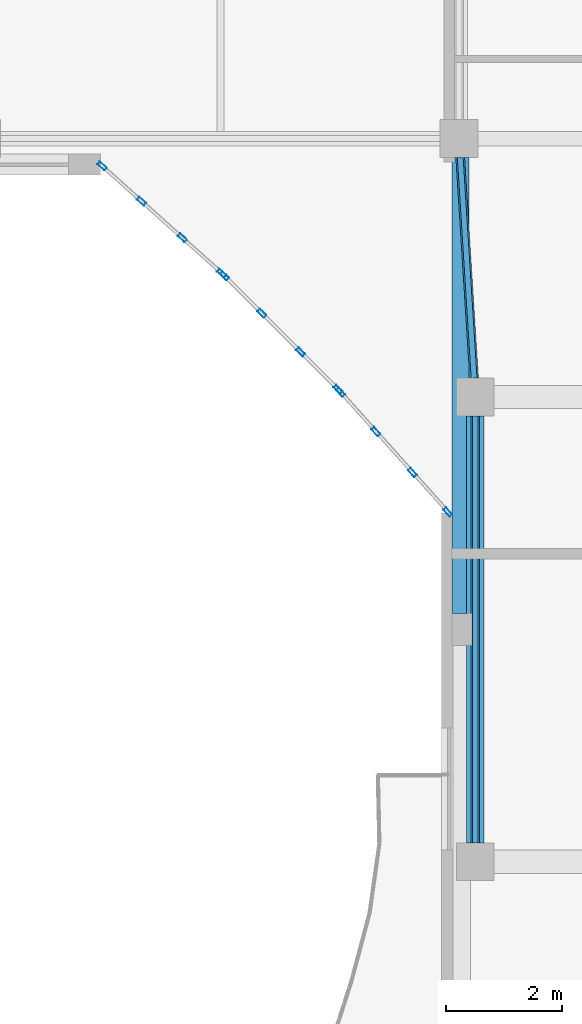
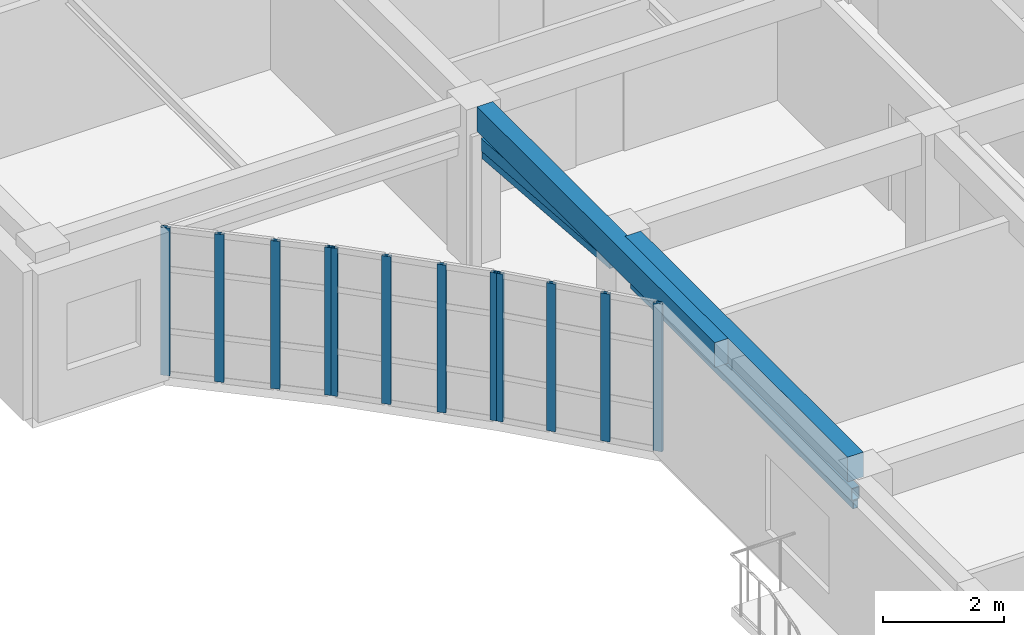
# One storey, part 45 of 128: 16 members, 2 beams, 3 elements without a shape of their own.
"""IFC4 building model written with IfcOpenShell, lengths in metres."""

from ifc_helpers import new_model, si_unit, direction, frame, origin, origin_2d, place, context, subcontext, project, spatial, rectangle, hollow_rectangle, extrude, material, layer, layer_set, material_profile, profile_set, type_object, element, aggregate, save


model = new_model("IFC4")

# Units and contexts
model_context = context("Model", 3, precision=1e-05, world=origin(), true_north=direction((0.0, 1.0)))
body_context = subcontext(model_context, "Body", "Model", "MODEL_VIEW")
ifc_project = project(units=[si_unit("LENGTHUNIT", "METRE"), si_unit("AREAUNIT", "SQUARE_METRE"), si_unit("VOLUMEUNIT", "CUBIC_METRE"), si_unit("PLANEANGLEUNIT", "RADIAN"), si_unit("MASSUNIT", "GRAM", prefix="KILO")], contexts=[model_context])

# Site, building, storey
site_placement = place(None, origin())
site = spatial("IfcSite", under=ifc_project, at=site_placement, CompositionType="ELEMENT")
building_placement = place(site_placement, origin())
building = spatial("IfcBuilding", under=site, at=building_placement, Name="Keldmere Railside Commons", CompositionType="ELEMENT")
storey_placement = place(building_placement, frame((0.0, 0.0, 4.159912109375)))
storey = spatial("IfcBuildingStorey", under=building, at=storey_placement, Name="L01", CompositionType="ELEMENT", Elevation=4.159912109375)

# Members
ifc_material_1 = material(Name="Steel F-36 (S355)", Category="steel")
ifc_material_profile_1 = material_profile(ifc_material_1, hollow_rectangle(XDim=0.14990234375, YDim=0.25, WallThickness=0.010009765625, at=origin_2d()), Name="RHS-250x150x10")
ifc_profile_set_1 = profile_set([ifc_material_profile_1], Name="Steel F-36 (S355)")
member_type_1 = type_object("IfcMemberType", Name="Balcony Continuous Planted Trough RHS250x150", PredefinedType="CHORD", material=ifc_profile_set_1)
member_1_placement = place(storey_placement, frame((48.449951171875, 88.324951171875, 2.4150390625), z_axis=(0.0, 1.0, 0.0), x_axis=(-1.0, 0.0, 0.0)))
element("IfcMember", 1, at=member_1_placement, inside=storey, type_object=member_type_1, Name="PLT-1 MEM-BPLT-0135", PredefinedType="CHORD", context=body_context, shape_type="SweptSolid", body=[
    extrude(hollow_rectangle(XDim=0.14990234375, YDim=0.25, WallThickness=0.010009765625, at=origin_2d()), origin(), (0.0, 0.0, 1.0), 7.35009765625),
])
member_2_placement = place(storey_placement, frame((48.4296875, 96.324462890625, 2.4150390625), z_axis=(-0.062821266469, 0.998024793519, 0.0), x_axis=(-0.998024793519, -0.062821266469, 0.0)))
element("IfcMember", 2, at=member_2_placement, inside=storey, type_object=member_type_1, Name="PLT-1 MEM-BPLT-0137", PredefinedType="CHORD", context=body_context, shape_type="SweptSolid", body=[
    extrude(hollow_rectangle(XDim=0.14990234375, YDim=0.25, WallThickness=0.010009765625, at=origin_2d()), origin(), (0.0, 0.0, 1.0), 3.80859375),
])

# Beams
ifc_material_2 = material(Name="Concrete H-30 (C30/37)", Category="concrete")
ifc_material_profile_2 = material_profile(ifc_material_2, rectangle(XDim=0.300048828125, YDim=0.5, at=origin_2d()), Name="RC-300x500")
ifc_profile_set_2 = profile_set([ifc_material_profile_2], Name="Concrete H-30 (C30/37)")
beam_type = type_object("IfcBeamType", Name="Secondary Frame RC Beam 300x500", PredefinedType="BEAM", material=ifc_profile_set_2)
beam_1_placement = place(storey_placement, frame((48.195068359375, 92.27490234375, 2.9501953125), z_axis=(0.0, 1.0, 0.0), x_axis=(-1.0, 0.0, 0.0)))
element("IfcBeam", 3, at=beam_1_placement, inside=storey, type_object=beam_type, Name="BG-5 BM-L01-0890", PredefinedType="BEAM", context=body_context, shape_type="SweptSolid", body=[
    extrude(rectangle(XDim=0.300048828125, YDim=0.5, at=origin_2d()), origin(), (0.0, 0.0, 1.0), 7.85009765625),
])
beam_2_placement = place(storey_placement, frame((48.449951171875, 88.324951171875, 2.9501953125), z_axis=(0.0, 1.0, 0.0), x_axis=(-1.0, 0.0, 0.0)))
element("IfcBeam", 4, at=beam_2_placement, inside=storey, type_object=beam_type, Name="BG-5 BM-L01-0894", PredefinedType="BEAM", context=body_context, shape_type="SweptSolid", body=[
    extrude(rectangle(XDim=0.300048828125, YDim=0.5, at=origin_2d()), origin(), (0.0, 0.0, 1.0), 7.35009765625),
])

# Members
ifc_material_profile_3 = material_profile(ifc_material_1, hollow_rectangle(XDim=0.10009765625, YDim=0.159912109375, WallThickness=0.008056640625, at=origin_2d()), Name="RHS-160x100x8")
ifc_profile_set_3 = profile_set([ifc_material_profile_3], Name="Steel F-36 (S355)")
member_type_2 = type_object("IfcMemberType", Name="Solar Brise-Soleil Louvre Fin RHS160x100", PredefinedType="STRUT", material=ifc_profile_set_3)
member_3_placement = place(storey_placement, frame((48.449951171875, 88.324951171875, 2.2001953125), z_axis=(0.0, 1.0, 0.0), x_axis=(-1.0, 0.0, 0.0)))
element("IfcMember", 5, at=member_3_placement, inside=storey, type_object=member_type_2, Name="BSF-1 MEM-BSF-0136", PredefinedType="STRUT", context=body_context, shape_type="SweptSolid", body=[
    extrude(hollow_rectangle(XDim=0.10009765625, YDim=0.159912109375, WallThickness=0.008056640625, at=origin_2d()), origin(), (0.0, 0.0, 1.0), 7.35009765625),
])
member_4_placement = place(storey_placement, frame((48.4296875, 96.324462890625, 2.2001953125), z_axis=(-0.062821266469, 0.998024793519, 0.0), x_axis=(-0.998024793519, -0.062821266469, 0.0)))
element("IfcMember", 6, at=member_4_placement, inside=storey, type_object=member_type_2, Name="BSF-1 MEM-BSF-0138", PredefinedType="STRUT", context=body_context, shape_type="SweptSolid", body=[
    extrude(hollow_rectangle(XDim=0.10009765625, YDim=0.159912109375, WallThickness=0.008056640625, at=origin_2d()), origin(), (0.0, 0.0, 1.0), 3.80859375),
])

# Curtain wall, members
ifc_material_3 = material(Name="Thermally Broken Aluminium", Category="aluminium")
ifc_layer_1 = layer(ifc_material_3, 0.159912109375, Name="Court Chord Wintergarden CW 4800x2850")
ifc_layer_set_1 = layer_set([ifc_layer_1], Name="Thermally Broken Aluminium")
curtain_wall_type_1 = type_object("IfcCurtainWallType", Name="Court Chord Wintergarden CW 4800x2850", PredefinedType="NOTDEFINED", material=ifc_layer_set_1)
curtain_wall_1_placement = place(storey_placement, origin())
curtain_wall_1 = element("IfcCurtainWall", 7, at=curtain_wall_1_placement, inside=storey, type_object=curtain_wall_type_1, Name="CW-12 CW-L01-034", PredefinedType="NOTDEFINED")
ifc_material_profile_4 = material_profile(ifc_material_3, hollow_rectangle(XDim=0.06494140625, YDim=0.159912109375, WallThickness=0.00390625, at=origin_2d()), Name="ALU-MULL-65x160")
ifc_profile_set_4 = profile_set([ifc_material_profile_4], Name="Thermally Broken Aluminium")
member_type_3 = type_object("IfcMemberType", Name="Unitised Curtain Wall Mullion 65x160", PredefinedType="MULLION", material=ifc_profile_set_4)
member_5_placement = place(storey_placement, frame((44.083740234375, 98.131591796875, 0.0), z_axis=(0.0, 0.0, 1.0), x_axis=(-0.667558519879, -0.744557333277, 0.0)))
member_5 = element("IfcMember", 8, at=member_5_placement, type_object=member_type_3, Name="CW-12 mullion 1", PredefinedType="MULLION", context=body_context, shape_type="SweptSolid", body=[
    extrude(hollow_rectangle(XDim=0.06494140625, YDim=0.159912109375, WallThickness=0.00390625, at=origin_2d()), origin(), (0.0, 0.0, 1.0), 2.97998046875),
])
member_6_placement = place(storey_placement, frame((43.4052734375, 98.739990234375, 0.0), z_axis=(0.0, 0.0, 1.0), x_axis=(-0.667558519879, -0.744557333277, 0.0)))
member_6 = element("IfcMember", 9, at=member_6_placement, type_object=member_type_3, Name="CW-12 mullion 2", PredefinedType="MULLION", context=body_context, shape_type="SweptSolid", body=[
    extrude(hollow_rectangle(XDim=0.06494140625, YDim=0.159912109375, WallThickness=0.00390625, at=origin_2d()), origin(), (0.0, 0.0, 1.0), 2.97998046875),
])
member_7_placement = place(storey_placement, frame((42.70263671875, 99.3701171875, 0.0), z_axis=(0.0, 0.0, 1.0), x_axis=(-0.667558519879, -0.744557333277, 0.0)))
member_7 = element("IfcMember", 10, at=member_7_placement, type_object=member_type_3, Name="CW-12 mullion 3", PredefinedType="MULLION", context=body_context, shape_type="SweptSolid", body=[
    extrude(hollow_rectangle(XDim=0.06494140625, YDim=0.159912109375, WallThickness=0.00390625, at=origin_2d()), origin(), (0.0, 0.0, 1.0), 2.97998046875),
])
member_8_placement = place(storey_placement, frame((42.024169921875, 99.978271484375, 0.0), z_axis=(0.0, 0.0, 1.0), x_axis=(-0.667558519879, -0.744557333277, 0.0)))
member_8 = element("IfcMember", 11, at=member_8_placement, type_object=member_type_3, Name="CW-12 mullion 4", PredefinedType="MULLION", context=body_context, shape_type="SweptSolid", body=[
    extrude(hollow_rectangle(XDim=0.06494140625, YDim=0.159912109375, WallThickness=0.00390625, at=origin_2d()), origin(), (0.0, 0.0, 1.0), 2.97998046875),
])
aggregate(curtain_wall_1, [member_5, member_6, member_7, member_8])

ifc_layer_2 = layer(ifc_material_3, 0.159912109375, Name="Court Chord Wintergarden CW 5400x2850")
ifc_layer_set_2 = layer_set([ifc_layer_2], Name="Thermally Broken Aluminium")
curtain_wall_type_2 = type_object("IfcCurtainWallType", Name="Court Chord Wintergarden CW 5400x2850", PredefinedType="NOTDEFINED", material=ifc_layer_set_2)
curtain_wall_2_placement = place(storey_placement, origin())
curtain_wall_2 = element("IfcCurtainWall", 12, at=curtain_wall_2_placement, inside=storey, type_object=curtain_wall_type_2, Name="CW-13 CW-L01-035", PredefinedType="NOTDEFINED")
member_9_placement = place(storey_placement, frame((46.0869140625, 96.130859375, 0.0), z_axis=(0.0, 0.0, 1.0), x_axis=(-0.707106781187, -0.707106781187, 0.0)))
member_9 = element("IfcMember", 13, at=member_9_placement, type_object=member_type_3, Name="CW-13 mullion 1", PredefinedType="MULLION", context=body_context, shape_type="SweptSolid", body=[
    extrude(hollow_rectangle(XDim=0.06494140625, YDim=0.159912109375, WallThickness=0.00390625, at=origin_2d()), origin(), (0.0, 0.0, 1.0), 2.97998046875),
])
member_10_placement = place(storey_placement, frame((45.442626953125, 96.775390625, 0.0), z_axis=(0.0, 0.0, 1.0), x_axis=(-0.707106781187, -0.707106781187, 0.0)))
member_10 = element("IfcMember", 14, at=member_10_placement, type_object=member_type_3, Name="CW-13 mullion 2", PredefinedType="MULLION", context=body_context, shape_type="SweptSolid", body=[
    extrude(hollow_rectangle(XDim=0.06494140625, YDim=0.159912109375, WallThickness=0.00390625, at=origin_2d()), origin(), (0.0, 0.0, 1.0), 2.97998046875),
])
member_11_placement = place(storey_placement, frame((44.775390625, 97.442626953125, 0.0), z_axis=(0.0, 0.0, 1.0), x_axis=(-0.707106781187, -0.707106781187, 0.0)))
member_11 = element("IfcMember", 15, at=member_11_placement, type_object=member_type_3, Name="CW-13 mullion 3", PredefinedType="MULLION", context=body_context, shape_type="SweptSolid", body=[
    extrude(hollow_rectangle(XDim=0.06494140625, YDim=0.159912109375, WallThickness=0.00390625, at=origin_2d()), origin(), (0.0, 0.0, 1.0), 2.97998046875),
])
member_12_placement = place(storey_placement, frame((44.130859375, 98.0869140625, 0.0), z_axis=(0.0, 0.0, 1.0), x_axis=(-0.707106781187, -0.707106781187, 0.0)))
member_12 = element("IfcMember", 16, at=member_12_placement, type_object=member_type_3, Name="CW-13 mullion 4", PredefinedType="MULLION", context=body_context, shape_type="SweptSolid", body=[
    extrude(hollow_rectangle(XDim=0.06494140625, YDim=0.159912109375, WallThickness=0.00390625, at=origin_2d()), origin(), (0.0, 0.0, 1.0), 2.97998046875),
])
aggregate(curtain_wall_2, [member_9, member_10, member_11, member_12])

curtain_wall_3_placement = place(storey_placement, origin())
curtain_wall_3 = element("IfcCurtainWall", 17, at=curtain_wall_3_placement, inside=storey, type_object=curtain_wall_type_1, Name="CW-12 CW-L01-036", PredefinedType="NOTDEFINED")
member_13_placement = place(storey_placement, frame((47.978271484375, 94.024169921875, 0.0), z_axis=(0.0, 0.0, 1.0), x_axis=(-0.744557333277, -0.667558519879, 0.0)))
member_13 = element("IfcMember", 18, at=member_13_placement, type_object=member_type_3, Name="CW-12 mullion 1", PredefinedType="MULLION", context=body_context, shape_type="SweptSolid", body=[
    extrude(hollow_rectangle(XDim=0.06494140625, YDim=0.159912109375, WallThickness=0.00390625, at=origin_2d()), origin(), (0.0, 0.0, 1.0), 2.97998046875),
])
member_14_placement = place(storey_placement, frame((47.3701171875, 94.70263671875, 0.0), z_axis=(0.0, 0.0, 1.0), x_axis=(-0.744557333277, -0.667558519879, 0.0)))
member_14 = element("IfcMember", 19, at=member_14_placement, type_object=member_type_3, Name="CW-12 mullion 2", PredefinedType="MULLION", context=body_context, shape_type="SweptSolid", body=[
    extrude(hollow_rectangle(XDim=0.06494140625, YDim=0.159912109375, WallThickness=0.00390625, at=origin_2d()), origin(), (0.0, 0.0, 1.0), 2.97998046875),
])
member_15_placement = place(storey_placement, frame((46.739990234375, 95.4052734375, 0.0), z_axis=(0.0, 0.0, 1.0), x_axis=(-0.744557333277, -0.667558519879, 0.0)))
member_15 = element("IfcMember", 20, at=member_15_placement, type_object=member_type_3, Name="CW-12 mullion 3", PredefinedType="MULLION", context=body_context, shape_type="SweptSolid", body=[
    extrude(hollow_rectangle(XDim=0.06494140625, YDim=0.159912109375, WallThickness=0.00390625, at=origin_2d()), origin(), (0.0, 0.0, 1.0), 2.97998046875),
])
member_16_placement = place(storey_placement, frame((46.131591796875, 96.083740234375, 0.0), z_axis=(0.0, 0.0, 1.0), x_axis=(-0.744557333277, -0.667558519879, 0.0)))
member_16 = element("IfcMember", 21, at=member_16_placement, type_object=member_type_3, Name="CW-12 mullion 4", PredefinedType="MULLION", context=body_context, shape_type="SweptSolid", body=[
    extrude(hollow_rectangle(XDim=0.06494140625, YDim=0.159912109375, WallThickness=0.00390625, at=origin_2d()), origin(), (0.0, 0.0, 1.0), 2.97998046875),
])
aggregate(curtain_wall_3, [member_13, member_14, member_15, member_16])

save(model, "model.ifc")
